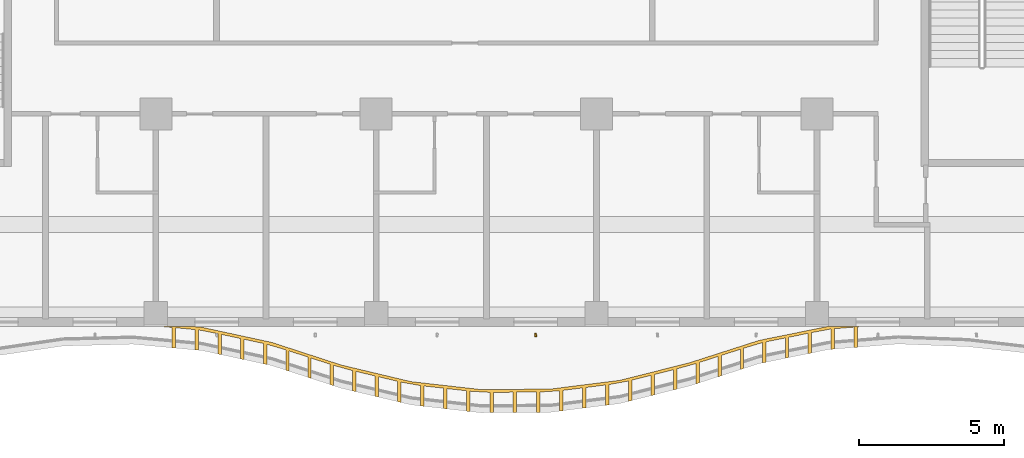
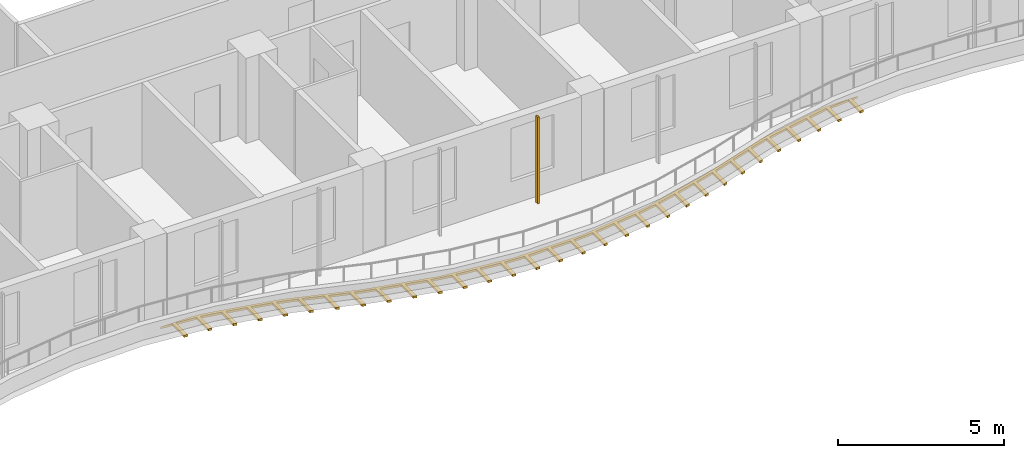
# One storey, part 15 of 21: 2 shading devices.
"""IFC4 building model written with IfcOpenShell, lengths in metres."""

from ifc_helpers import new_model, si_unit, direction, frame, origin, origin_2d, place, context, subcontext, project, spatial, polyline, rectangle, outline, extrude, source, transform, mapped, material, layer, layer_set, material_profile, profile_set, type_object, element, save


model = new_model("IFC4")

# Units and contexts
model_context = context("Model", 3, precision=1e-05, world=origin(), true_north=direction((0.0, 1.0)))
body_context = subcontext(model_context, "Body", "Model", "MODEL_VIEW")
ifc_project = project(units=[si_unit("LENGTHUNIT", "METRE"), si_unit("AREAUNIT", "SQUARE_METRE"), si_unit("VOLUMEUNIT", "CUBIC_METRE"), si_unit("PLANEANGLEUNIT", "RADIAN"), si_unit("MASSUNIT", "GRAM", prefix="KILO")], contexts=[model_context])

# Site, building, storey
site_placement = place(None, origin())
site = spatial("IfcSite", under=ifc_project, at=site_placement, CompositionType="ELEMENT")
building_placement = place(site_placement, origin())
building = spatial("IfcBuilding", under=site, at=building_placement, Name="Kilnfold Tower and Market Hall", CompositionType="ELEMENT")
storey_placement = place(building_placement, frame((0.0, 0.0, 147.300048828125)))
storey = spatial("IfcBuildingStorey", under=building, at=storey_placement, Name="L33", CompositionType="ELEMENT", Elevation=147.300048828125)

# Shading devices
ifc_material_1 = material(Name="Terracotta", Category="masonry")
ifc_material_profile = material_profile(ifc_material_1, rectangle(XDim=0.06005859375, YDim=0.1201171875, at=origin_2d()), Name="BAG 60x120")
ifc_profile_set = profile_set([ifc_material_profile], Name="Terracotta")
shading_device_type_1 = type_object("IfcShadingDeviceType", Name="BAGUETTE", PredefinedType="USERDEFINED", material=ifc_profile_set)
shared_shape_1 = source(origin(), body_context, "Body", "SweptSolid", [
    extrude(rectangle(XDim=0.06005859375, YDim=0.1201171875, at=origin_2d()), origin(), (0.0, 0.0, 1.0), 3.179931640625),
])
shading_device_1_placement = place(storey_placement, frame((4.4873046875, -21.550048828125, 0.0), z_axis=(0.0, 0.0, 1.0), x_axis=(0.998140015712, 0.060963177693, 0.0)))
element("IfcShadingDevice", 1, at=shading_device_1_placement, inside=storey, type_object=shading_device_type_1, Name="Terracotta baguette L33 S", ObjectType="BAGUETTE", PredefinedType="USERDEFINED", context=body_context, shape_type="MappedRepresentation", body=[
    mapped(shared_shape_1, transform((0.0, 0.0, 0.0))),
])
ifc_material_2 = material(Name="Bronze anodised aluminium", Category="aluminium")
ifc_layer = layer(ifc_material_2, 0.080078125)
ifc_layer_set = layer_set([ifc_layer], Name="Bronze anodised aluminium")
shading_device_type_2 = type_object("IfcShadingDeviceType", Name="BRONZE SLAT SOFFIT 80", PredefinedType="USERDEFINED", material=ifc_layer_set)
shared_shape_2 = source(origin(), body_context, "Body", "SweptSolid", [
    extrude(outline(polyline([(-6.98681640625, -21.28271484375), (-4.592041015625, -21.80029296875), (-2.197509765625, -22.57958984375), (0.197509765625, -23.14990234375), (2.592041015625, -23.42138671875), (4.98681640625, -23.406494140625), (7.381591796875, -23.1044921875), (9.7763671875, -22.501708984375), (12.171142578125, -21.73193359375), (14.546630859375, -21.25), (15.764892578125, -21.25), (15.562255859375, -21.26611328125), (15.562255859375, -21.96630859375), (15.442626953125, -21.975830078125), (15.442626953125, -21.27587890625), (14.764892578125, -21.330078125), (14.764892578125, -22.0302734375), (14.645263671875, -22.039794921875), (14.645263671875, -21.339599609375), (13.977294921875, -21.465576171875), (13.977294921875, -22.16552734375), (13.85986328125, -22.189208984375), (13.85986328125, -21.4892578125), (13.193359375, -21.62451171875), (13.193359375, -22.324462890625), (13.07568359375, -22.348388671875), (13.07568359375, -21.6484375), (12.409423828125, -21.78369140625), (12.409423828125, -22.483642578125), (12.291748046875, -22.50732421875), (12.291748046875, -21.807373046875), (11.640869140625, -22.002197265625), (11.640869140625, -22.702392578125), (11.526611328125, -22.739013671875), (11.526611328125, -22.0390625), (10.87939453125, -22.2470703125), (10.87939453125, -22.947021484375), (10.76513671875, -22.98388671875), (10.76513671875, -22.283935546875), (10.11767578125, -22.491943359375), (10.11767578125, -23.19189453125), (10.00341796875, -23.228759765625), (10.00341796875, -22.52880859375), (9.348388671875, -22.70947265625), (9.348388671875, -23.409423828125), (9.23193359375, -23.438720703125), (9.23193359375, -22.73876953125), (8.572509765625, -22.90478515625), (8.572509765625, -23.604736328125), (8.4560546875, -23.634033203125), (8.4560546875, -22.93408203125), (7.796630859375, -23.10009765625), (7.796630859375, -23.800048828125), (7.680419921875, -23.829345703125), (7.680419921875, -23.12939453125), (7.012451171875, -23.251220703125), (7.012451171875, -23.951171875), (6.8935546875, -23.966064453125), (6.8935546875, -23.26611328125), (6.21875, -23.351318359375), (6.21875, -24.05126953125), (6.099853515625, -24.066162109375), (6.099853515625, -23.3662109375), (5.425048828125, -23.451416015625), (5.425048828125, -24.1513671875), (5.30615234375, -24.166259765625), (5.30615234375, -23.46630859375), (4.628662109375, -23.5087890625), (4.628662109375, -24.208740234375), (4.508544921875, -24.209716796875), (4.508544921875, -23.509521484375), (3.82861328125, -23.513916015625), (3.82861328125, -24.2138671875), (3.70849609375, -24.214599609375), (3.70849609375, -23.5146484375), (3.028564453125, -23.518798828125), (3.028564453125, -24.21875), (2.90869140625, -24.219482421875), (2.90869140625, -23.51953125), (2.23095703125, -23.48046875), (2.23095703125, -24.180419921875), (2.11181640625, -24.1669921875), (2.11181640625, -23.467041015625), (1.43603515625, -23.390380859375), (1.43603515625, -24.09033203125), (1.31689453125, -24.076904296875), (1.31689453125, -23.376708984375), (0.64111328125, -23.300048828125), (0.64111328125, -24.0), (0.52197265625, -23.986572265625), (0.52197265625, -23.28662109375), (-0.146484375, -23.16796875), (-0.146484375, -23.867919921875), (-0.26318359375, -23.840087890625), (-0.26318359375, -23.14013671875), (-0.924560546875, -22.982666015625), (-0.924560546875, -23.6826171875), (-1.04150390625, -23.65478515625), (-1.04150390625, -22.954833984375), (-1.702880859375, -22.79736328125), (-1.702880859375, -23.497314453125), (-1.819580078125, -23.469482421875), (-1.819580078125, -22.76953125), (-2.474609375, -22.58935546875), (-2.474609375, -23.289306640625), (-2.5888671875, -23.252197265625), (-2.5888671875, -22.55224609375), (-3.235595703125, -22.341796875), (-3.235595703125, -23.041748046875), (-3.349609375, -23.004638671875), (-3.349609375, -22.3046875), (-3.99609375, -22.09423828125), (-3.99609375, -22.794189453125), (-4.1103515625, -22.757080078125), (-4.1103515625, -22.05712890625), (-4.76171875, -21.86376953125), (-4.76171875, -22.563720703125), (-4.87890625, -22.538330078125), (-4.87890625, -21.83837890625), (-5.54345703125, -21.69482421875), (-5.54345703125, -22.394775390625), (-5.660888671875, -22.369384765625), (-5.660888671875, -21.66943359375), (-6.325439453125, -21.525634765625), (-6.325439453125, -22.2255859375), (-6.442626953125, -22.200439453125), (-6.442626953125, -21.50048828125), (-7.109619140625, -21.371337890625), (-7.109619140625, -22.0712890625), (-7.22900390625, -22.060302734375), (-7.22900390625, -21.3603515625), (-7.90625, -21.297607421875), (-7.90625, -21.99755859375), (-8.025634765625, -21.986572265625), (-8.025634765625, -21.28662109375), (-8.41943359375, -21.25), (-7.340576171875, -21.25), (-6.98681640625, -21.28271484375)])), origin(), (0.0, 0.0, 1.0), 0.080078125),
])
shading_device_2_placement = place(storey_placement, frame((0.0, 0.0, -0.300048828125)))
element("IfcShadingDevice", 2, at=shading_device_2_placement, inside=storey, type_object=shading_device_type_2, Name="Balcony soffit slats L33", ObjectType="SLAT", PredefinedType="USERDEFINED", context=body_context, shape_type="MappedRepresentation", body=[
    mapped(shared_shape_2, transform((0.0, 0.0, 0.0))),
])

save(model, "model.ifc")
